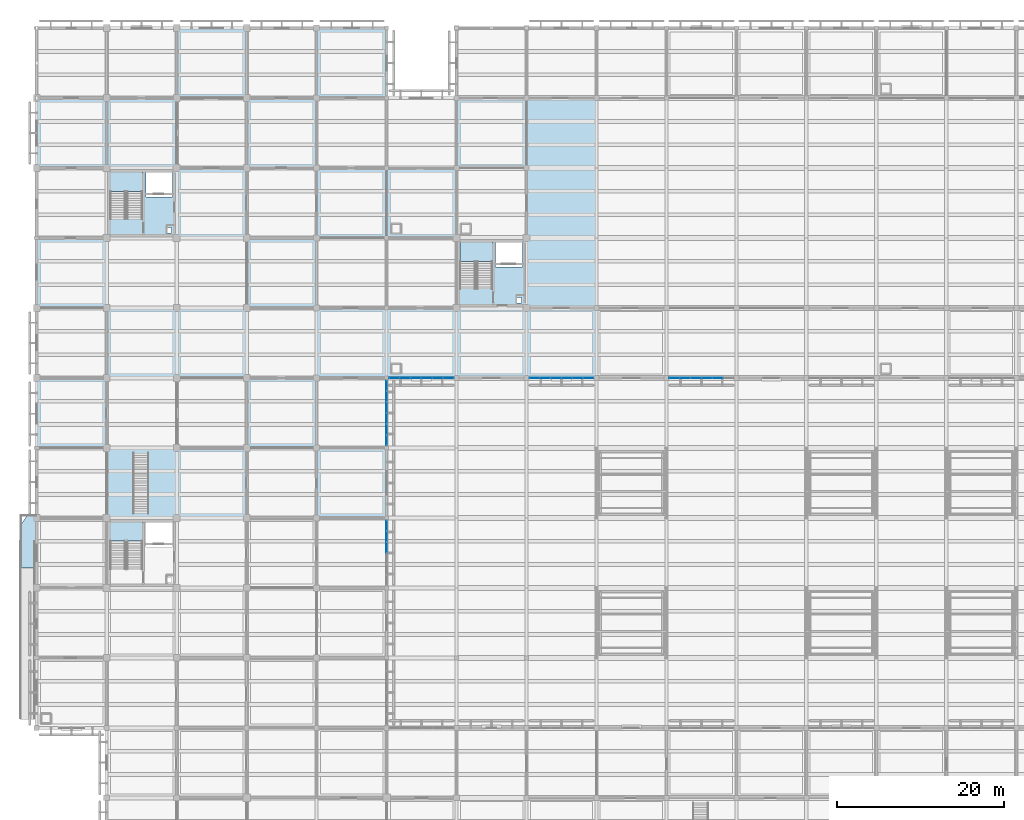
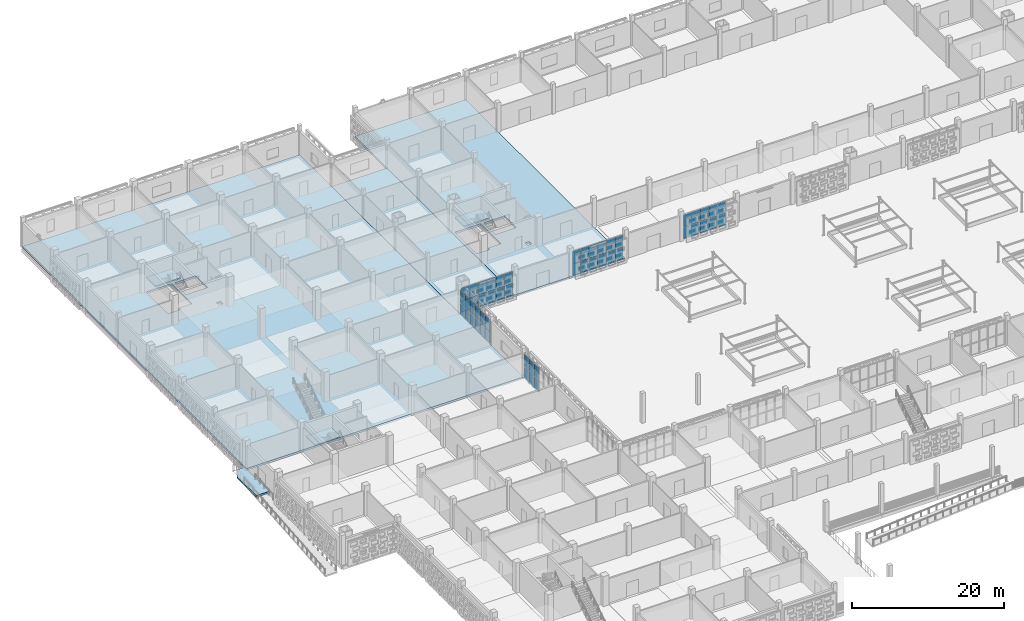
# One storey, part 49 of 129: 52 plates, 7 slabs, 8 elements without a shape of their own.
"""IFC4 building model written with IfcOpenShell, lengths in metres."""

from ifc_helpers import new_model, si_unit, direction, frame, origin, origin_2d, place, context, subcontext, project, spatial, polyline, rectangle, outline, extrude, material, layer, layer_set, type_object, element, aggregate, save


model = new_model("IFC4")

# Units and contexts
model_context = context("Model", 3, precision=1e-05, world=origin(), true_north=direction((0.0, 1.0)))
body_context = subcontext(model_context, "Body", "Model", "MODEL_VIEW")
ifc_project = project(units=[si_unit("LENGTHUNIT", "METRE"), si_unit("AREAUNIT", "SQUARE_METRE"), si_unit("VOLUMEUNIT", "CUBIC_METRE"), si_unit("PLANEANGLEUNIT", "RADIAN"), si_unit("MASSUNIT", "GRAM", prefix="KILO")], contexts=[model_context])

# Site, building, storey
site_placement = place(None, origin())
site = spatial("IfcSite", under=ifc_project, at=site_placement, CompositionType="ELEMENT")
building_placement = place(site_placement, origin())
building = spatial("IfcBuilding", under=site, at=building_placement, Name="Varnapada Polytechnic", CompositionType="ELEMENT")
storey_placement = place(building_placement, origin())
storey = spatial("IfcBuildingStorey", under=building, at=storey_placement, Name="L00", CompositionType="ELEMENT", Elevation=0.0)

# Curtain wall, plates
ifc_material_1 = material(Name="Double low-E laminated glass", Category="glass")
ifc_layer_1 = layer(ifc_material_1, 0.159912109375)
ifc_layer_set_1 = layer_set([ifc_layer_1], Name="Double low-E laminated glass")
curtain_wall_type = type_object("IfcCurtainWallType", Name="Curtain Wall CW-01", PredefinedType="NOTDEFINED", material=ifc_layer_set_1)
curtain_wall_1_placement = place(storey_placement, origin())
curtain_wall_1 = element("IfcCurtainWall", 1, at=curtain_wall_1_placement, inside=storey, type_object=curtain_wall_type, Name="L00 unitised curtain wall CW-01 (2)", PredefinedType="NOTDEFINED")
ifc_layer_2 = layer(ifc_material_1, 0.028076171875)
ifc_layer_set_2 = layer_set([ifc_layer_2], Name="Double low-E laminated glass")
plate_type = type_object("IfcPlateType", Name="Curtain Panel PNL-01", PredefinedType="CURTAIN_PANEL", material=ifc_layer_set_2)
plate_1_placement = place(storey_placement, frame((42.0, 66.276611328125, 0.06005859375), z_axis=(0.0, 0.0, 1.0), x_axis=(0.0, -1.0, 0.0)))
plate_1 = element("IfcPlate", 2, at=plate_1_placement, type_object=plate_type, Name="CW-01 panel 1.1", PredefinedType="CURTAIN_PANEL", context=body_context, shape_type="SweptSolid", body=[
    extrude(rectangle(XDim=1.2265625, YDim=0.028076171875, at=origin_2d()), origin(), (0.0, 0.0, 1.0), 1.810791015625),
])
plate_2_placement = place(storey_placement, frame((42.0, 66.276611328125, 1.9306640625), z_axis=(0.0, 0.0, 1.0), x_axis=(0.0, -1.0, 0.0)))
plate_2 = element("IfcPlate", 3, at=plate_2_placement, type_object=plate_type, Name="CW-01 panel 1.2", PredefinedType="CURTAIN_PANEL", context=body_context, shape_type="SweptSolid", body=[
    extrude(rectangle(XDim=1.2265625, YDim=0.028076171875, at=origin_2d()), origin(), (0.0, 0.0, 1.0), 1.96923828125),
])
plate_3_placement = place(storey_placement, frame((42.0, 64.97509765625, 0.06005859375), z_axis=(0.0, 0.0, 1.0), x_axis=(0.0, -1.0, 0.0)))
plate_3 = element("IfcPlate", 4, at=plate_3_placement, type_object=plate_type, Name="CW-01 panel 2.1", PredefinedType="CURTAIN_PANEL", context=body_context, shape_type="SweptSolid", body=[
    extrude(rectangle(XDim=1.256591796875, YDim=0.028076171875, at=origin_2d()), origin(), (0.0, 0.0, 1.0), 1.810791015625),
])
plate_4_placement = place(storey_placement, frame((42.0, 64.97509765625, 1.9306640625), z_axis=(0.0, 0.0, 1.0), x_axis=(0.0, -1.0, 0.0)))
plate_4 = element("IfcPlate", 5, at=plate_4_placement, type_object=plate_type, Name="CW-01 panel 2.2", PredefinedType="CURTAIN_PANEL", context=body_context, shape_type="SweptSolid", body=[
    extrude(rectangle(XDim=1.256591796875, YDim=0.028076171875, at=origin_2d()), origin(), (0.0, 0.0, 1.0), 1.96923828125),
])
plate_5_placement = place(storey_placement, frame((42.0, 63.658447265625, 0.06005859375), z_axis=(0.0, 0.0, 1.0), x_axis=(0.0, -1.0, 0.0)))
plate_5 = element("IfcPlate", 6, at=plate_5_placement, type_object=plate_type, Name="CW-01 panel 3.1", PredefinedType="CURTAIN_PANEL", context=body_context, shape_type="SweptSolid", body=[
    extrude(rectangle(XDim=1.256591796875, YDim=0.028076171875, at=origin_2d()), origin(), (0.0, 0.0, 1.0), 1.810791015625),
])
plate_6_placement = place(storey_placement, frame((42.0, 63.658447265625, 1.9306640625), z_axis=(0.0, 0.0, 1.0), x_axis=(0.0, -1.0, 0.0)))
plate_6 = element("IfcPlate", 7, at=plate_6_placement, type_object=plate_type, Name="CW-01 panel 3.2", PredefinedType="CURTAIN_PANEL", context=body_context, shape_type="SweptSolid", body=[
    extrude(rectangle(XDim=1.256591796875, YDim=0.028076171875, at=origin_2d()), origin(), (0.0, 0.0, 1.0), 1.96923828125),
])
aggregate(curtain_wall_1, [plate_1, plate_2, plate_3, plate_4, plate_5, plate_6])

curtain_wall_2_placement = place(storey_placement, origin())
curtain_wall_2 = element("IfcCurtainWall", 8, at=curtain_wall_2_placement, inside=storey, type_object=curtain_wall_type, Name="L00 unitised curtain wall CW-01 (3)", PredefinedType="NOTDEFINED")
plate_7_placement = place(storey_placement, frame((42.0, 83.07666015625, 0.06005859375), z_axis=(0.0, 0.0, 1.0), x_axis=(0.0, -1.0, 0.0)))
plate_7 = element("IfcPlate", 9, at=plate_7_placement, type_object=plate_type, Name="CW-01 panel 1.1", PredefinedType="CURTAIN_PANEL", context=body_context, shape_type="SweptSolid", body=[
    extrude(rectangle(XDim=1.2265625, YDim=0.028076171875, at=origin_2d()), origin(), (0.0, 0.0, 1.0), 1.810791015625),
])
plate_8_placement = place(storey_placement, frame((42.0, 83.07666015625, 1.9306640625), z_axis=(0.0, 0.0, 1.0), x_axis=(0.0, -1.0, 0.0)))
plate_8 = element("IfcPlate", 10, at=plate_8_placement, type_object=plate_type, Name="CW-01 panel 1.2", PredefinedType="CURTAIN_PANEL", context=body_context, shape_type="SweptSolid", body=[
    extrude(rectangle(XDim=1.2265625, YDim=0.028076171875, at=origin_2d()), origin(), (0.0, 0.0, 1.0), 1.96923828125),
])
plate_9_placement = place(storey_placement, frame((42.0, 81.77490234375, 0.06005859375), z_axis=(0.0, 0.0, 1.0), x_axis=(0.0, -1.0, 0.0)))
plate_9 = element("IfcPlate", 11, at=plate_9_placement, type_object=plate_type, Name="CW-01 panel 2.1", PredefinedType="CURTAIN_PANEL", context=body_context, shape_type="SweptSolid", body=[
    extrude(rectangle(XDim=1.256591796875, YDim=0.028076171875, at=origin_2d()), origin(), (0.0, 0.0, 1.0), 1.810791015625),
])
plate_10_placement = place(storey_placement, frame((42.0, 81.77490234375, 1.9306640625), z_axis=(0.0, 0.0, 1.0), x_axis=(0.0, -1.0, 0.0)))
plate_10 = element("IfcPlate", 12, at=plate_10_placement, type_object=plate_type, Name="CW-01 panel 2.2", PredefinedType="CURTAIN_PANEL", context=body_context, shape_type="SweptSolid", body=[
    extrude(rectangle(XDim=1.256591796875, YDim=0.028076171875, at=origin_2d()), origin(), (0.0, 0.0, 1.0), 1.96923828125),
])
plate_11_placement = place(storey_placement, frame((42.0, 80.458251953125, 0.06005859375), z_axis=(0.0, 0.0, 1.0), x_axis=(0.0, -1.0, 0.0)))
plate_11 = element("IfcPlate", 13, at=plate_11_placement, type_object=plate_type, Name="CW-01 panel 3.1", PredefinedType="CURTAIN_PANEL", context=body_context, shape_type="SweptSolid", body=[
    extrude(rectangle(XDim=1.256591796875, YDim=0.028076171875, at=origin_2d()), origin(), (0.0, 0.0, 1.0), 1.810791015625),
])
plate_12_placement = place(storey_placement, frame((42.0, 80.458251953125, 1.9306640625), z_axis=(0.0, 0.0, 1.0), x_axis=(0.0, -1.0, 0.0)))
plate_12 = element("IfcPlate", 14, at=plate_12_placement, type_object=plate_type, Name="CW-01 panel 3.2", PredefinedType="CURTAIN_PANEL", context=body_context, shape_type="SweptSolid", body=[
    extrude(rectangle(XDim=1.256591796875, YDim=0.028076171875, at=origin_2d()), origin(), (0.0, 0.0, 1.0), 1.96923828125),
])
plate_13_placement = place(storey_placement, frame((42.0, 79.1416015625, 0.06005859375), z_axis=(0.0, 0.0, 1.0), x_axis=(0.0, -1.0, 0.0)))
plate_13 = element("IfcPlate", 15, at=plate_13_placement, type_object=plate_type, Name="CW-01 panel 4.1", PredefinedType="CURTAIN_PANEL", context=body_context, shape_type="SweptSolid", body=[
    extrude(rectangle(XDim=1.256591796875, YDim=0.028076171875, at=origin_2d()), origin(), (0.0, 0.0, 1.0), 1.810791015625),
])
plate_14_placement = place(storey_placement, frame((42.0, 79.1416015625, 1.9306640625), z_axis=(0.0, 0.0, 1.0), x_axis=(0.0, -1.0, 0.0)))
plate_14 = element("IfcPlate", 16, at=plate_14_placement, type_object=plate_type, Name="CW-01 panel 4.2", PredefinedType="CURTAIN_PANEL", context=body_context, shape_type="SweptSolid", body=[
    extrude(rectangle(XDim=1.256591796875, YDim=0.028076171875, at=origin_2d()), origin(), (0.0, 0.0, 1.0), 1.96923828125),
])
plate_15_placement = place(storey_placement, frame((42.0, 77.824951171875, 0.06005859375), z_axis=(0.0, 0.0, 1.0), x_axis=(0.0, -1.0, 0.0)))
plate_15 = element("IfcPlate", 17, at=plate_15_placement, type_object=plate_type, Name="CW-01 panel 5.1", PredefinedType="CURTAIN_PANEL", context=body_context, shape_type="SweptSolid", body=[
    extrude(rectangle(XDim=1.256591796875, YDim=0.028076171875, at=origin_2d()), origin(), (0.0, 0.0, 1.0), 1.810791015625),
])
plate_16_placement = place(storey_placement, frame((42.0, 77.824951171875, 1.9306640625), z_axis=(0.0, 0.0, 1.0), x_axis=(0.0, -1.0, 0.0)))
plate_16 = element("IfcPlate", 18, at=plate_16_placement, type_object=plate_type, Name="CW-01 panel 5.2", PredefinedType="CURTAIN_PANEL", context=body_context, shape_type="SweptSolid", body=[
    extrude(rectangle(XDim=1.256591796875, YDim=0.028076171875, at=origin_2d()), origin(), (0.0, 0.0, 1.0), 1.96923828125),
])
plate_17_placement = place(storey_placement, frame((42.0, 76.5234375, 0.06005859375), z_axis=(0.0, 0.0, 1.0), x_axis=(0.0, -1.0, 0.0)))
plate_17 = element("IfcPlate", 19, at=plate_17_placement, type_object=plate_type, Name="CW-01 panel 6.1", PredefinedType="CURTAIN_PANEL", context=body_context, shape_type="SweptSolid", body=[
    extrude(rectangle(XDim=1.2265625, YDim=0.028076171875, at=origin_2d()), origin(), (0.0, 0.0, 1.0), 1.810791015625),
])
plate_18_placement = place(storey_placement, frame((42.0, 76.5234375, 1.9306640625), z_axis=(0.0, 0.0, 1.0), x_axis=(0.0, -1.0, 0.0)))
plate_18 = element("IfcPlate", 20, at=plate_18_placement, type_object=plate_type, Name="CW-01 panel 6.2", PredefinedType="CURTAIN_PANEL", context=body_context, shape_type="SweptSolid", body=[
    extrude(rectangle(XDim=1.2265625, YDim=0.028076171875, at=origin_2d()), origin(), (0.0, 0.0, 1.0), 1.96923828125),
])
aggregate(curtain_wall_2, [plate_7, plate_8, plate_9, plate_10, plate_11, plate_12, plate_13, plate_14, plate_15, plate_16, plate_17, plate_18])

curtain_wall_3_placement = place(storey_placement, origin())
curtain_wall_3 = element("IfcCurtainWall", 21, at=curtain_wall_3_placement, inside=storey, type_object=curtain_wall_type, Name="L00 unitised curtain wall CW-01 (5)", PredefinedType="NOTDEFINED")
plate_19_placement = place(storey_placement, frame((49.430908203125, 84.0, 0.06005859375), z_axis=(0.0, 0.0, 1.0), x_axis=(-1.0, 0.0, 0.0)))
plate_19 = element("IfcPlate", 22, at=plate_19_placement, type_object=plate_type, Name="CW-01 panel 1.1", PredefinedType="CURTAIN_PANEL", context=body_context, shape_type="SweptSolid", body=[
    extrude(rectangle(XDim=1.21826171875, YDim=0.028076171875, at=origin_2d()), origin(), (0.0, 0.0, 1.0), 1.810791015625),
])
plate_20_placement = place(storey_placement, frame((49.430908203125, 84.0, 1.9306640625), z_axis=(0.0, 0.0, 1.0), x_axis=(-1.0, 0.0, 0.0)))
plate_20 = element("IfcPlate", 23, at=plate_20_placement, type_object=plate_type, Name="CW-01 panel 1.2", PredefinedType="CURTAIN_PANEL", context=body_context, shape_type="SweptSolid", body=[
    extrude(rectangle(XDim=1.21826171875, YDim=0.028076171875, at=origin_2d()), origin(), (0.0, 0.0, 1.0), 1.96923828125),
])
plate_21_placement = place(storey_placement, frame((48.137451171875, 84.0, 0.06005859375), z_axis=(0.0, 0.0, 1.0), x_axis=(-1.0, 0.0, 0.0)))
plate_21 = element("IfcPlate", 24, at=plate_21_placement, type_object=plate_type, Name="CW-01 panel 2.1", PredefinedType="CURTAIN_PANEL", context=body_context, shape_type="SweptSolid", body=[
    extrude(rectangle(XDim=1.248291015625, YDim=0.028076171875, at=origin_2d()), origin(), (0.0, 0.0, 1.0), 1.810791015625),
])
plate_22_placement = place(storey_placement, frame((48.137451171875, 84.0, 1.9306640625), z_axis=(0.0, 0.0, 1.0), x_axis=(-1.0, 0.0, 0.0)))
plate_22 = element("IfcPlate", 25, at=plate_22_placement, type_object=plate_type, Name="CW-01 panel 2.2", PredefinedType="CURTAIN_PANEL", context=body_context, shape_type="SweptSolid", body=[
    extrude(rectangle(XDim=1.248291015625, YDim=0.028076171875, at=origin_2d()), origin(), (0.0, 0.0, 1.0), 1.96923828125),
])
plate_23_placement = place(storey_placement, frame((46.8291015625, 84.0, 0.06005859375), z_axis=(0.0, 0.0, 1.0), x_axis=(-1.0, 0.0, 0.0)))
plate_23 = element("IfcPlate", 26, at=plate_23_placement, type_object=plate_type, Name="CW-01 panel 3.1", PredefinedType="CURTAIN_PANEL", context=body_context, shape_type="SweptSolid", body=[
    extrude(rectangle(XDim=1.248291015625, YDim=0.028076171875, at=origin_2d()), origin(), (0.0, 0.0, 1.0), 1.810791015625),
])
plate_24_placement = place(storey_placement, frame((46.8291015625, 84.0, 1.9306640625), z_axis=(0.0, 0.0, 1.0), x_axis=(-1.0, 0.0, 0.0)))
plate_24 = element("IfcPlate", 27, at=plate_24_placement, type_object=plate_type, Name="CW-01 panel 3.2", PredefinedType="CURTAIN_PANEL", context=body_context, shape_type="SweptSolid", body=[
    extrude(rectangle(XDim=1.248291015625, YDim=0.028076171875, at=origin_2d()), origin(), (0.0, 0.0, 1.0), 1.96923828125),
])
plate_25_placement = place(storey_placement, frame((45.520751953125, 84.0, 0.06005859375), z_axis=(0.0, 0.0, 1.0), x_axis=(-1.0, 0.0, 0.0)))
plate_25 = element("IfcPlate", 28, at=plate_25_placement, type_object=plate_type, Name="CW-01 panel 4.1", PredefinedType="CURTAIN_PANEL", context=body_context, shape_type="SweptSolid", body=[
    extrude(rectangle(XDim=1.248291015625, YDim=0.028076171875, at=origin_2d()), origin(), (0.0, 0.0, 1.0), 1.810791015625),
])
plate_26_placement = place(storey_placement, frame((45.520751953125, 84.0, 1.9306640625), z_axis=(0.0, 0.0, 1.0), x_axis=(-1.0, 0.0, 0.0)))
plate_26 = element("IfcPlate", 29, at=plate_26_placement, type_object=plate_type, Name="CW-01 panel 4.2", PredefinedType="CURTAIN_PANEL", context=body_context, shape_type="SweptSolid", body=[
    extrude(rectangle(XDim=1.248291015625, YDim=0.028076171875, at=origin_2d()), origin(), (0.0, 0.0, 1.0), 1.96923828125),
])
plate_27_placement = place(storey_placement, frame((44.21240234375, 84.0, 0.06005859375), z_axis=(0.0, 0.0, 1.0), x_axis=(-1.0, 0.0, 0.0)))
plate_27 = element("IfcPlate", 30, at=plate_27_placement, type_object=plate_type, Name="CW-01 panel 5.1", PredefinedType="CURTAIN_PANEL", context=body_context, shape_type="SweptSolid", body=[
    extrude(rectangle(XDim=1.248291015625, YDim=0.028076171875, at=origin_2d()), origin(), (0.0, 0.0, 1.0), 1.810791015625),
])
plate_28_placement = place(storey_placement, frame((44.21240234375, 84.0, 1.9306640625), z_axis=(0.0, 0.0, 1.0), x_axis=(-1.0, 0.0, 0.0)))
plate_28 = element("IfcPlate", 31, at=plate_28_placement, type_object=plate_type, Name="CW-01 panel 5.2", PredefinedType="CURTAIN_PANEL", context=body_context, shape_type="SweptSolid", body=[
    extrude(rectangle(XDim=1.248291015625, YDim=0.028076171875, at=origin_2d()), origin(), (0.0, 0.0, 1.0), 1.96923828125),
])
plate_29_placement = place(storey_placement, frame((42.919189453125, 84.0, 0.06005859375), z_axis=(0.0, 0.0, 1.0), x_axis=(-1.0, 0.0, 0.0)))
plate_29 = element("IfcPlate", 32, at=plate_29_placement, type_object=plate_type, Name="CW-01 panel 6.1", PredefinedType="CURTAIN_PANEL", context=body_context, shape_type="SweptSolid", body=[
    extrude(rectangle(XDim=1.21826171875, YDim=0.028076171875, at=origin_2d()), origin(), (0.0, 0.0, 1.0), 1.810791015625),
])
plate_30_placement = place(storey_placement, frame((42.919189453125, 84.0, 1.9306640625), z_axis=(0.0, 0.0, 1.0), x_axis=(-1.0, 0.0, 0.0)))
plate_30 = element("IfcPlate", 33, at=plate_30_placement, type_object=plate_type, Name="CW-01 panel 6.2", PredefinedType="CURTAIN_PANEL", context=body_context, shape_type="SweptSolid", body=[
    extrude(rectangle(XDim=1.21826171875, YDim=0.028076171875, at=origin_2d()), origin(), (0.0, 0.0, 1.0), 1.96923828125),
])
aggregate(curtain_wall_3, [plate_19, plate_20, plate_21, plate_22, plate_23, plate_24, plate_25, plate_26, plate_27, plate_28, plate_29, plate_30])

curtain_wall_4_placement = place(storey_placement, origin())
curtain_wall_4 = element("IfcCurtainWall", 34, at=curtain_wall_4_placement, inside=storey, type_object=curtain_wall_type, Name="L00 unitised curtain wall CW-01 (7)", PredefinedType="NOTDEFINED")
plate_31_placement = place(storey_placement, frame((66.235107421875, 84.0, 0.06005859375), z_axis=(0.0, 0.0, 1.0), x_axis=(-1.0, 0.0, 0.0)))
plate_31 = element("IfcPlate", 35, at=plate_31_placement, type_object=plate_type, Name="CW-01 panel 1.1", PredefinedType="CURTAIN_PANEL", context=body_context, shape_type="SweptSolid", body=[
    extrude(rectangle(XDim=1.2099609375, YDim=0.028076171875, at=origin_2d()), origin(), (0.0, 0.0, 1.0), 1.810791015625),
])
plate_32_placement = place(storey_placement, frame((66.235107421875, 84.0, 1.9306640625), z_axis=(0.0, 0.0, 1.0), x_axis=(-1.0, 0.0, 0.0)))
plate_32 = element("IfcPlate", 36, at=plate_32_placement, type_object=plate_type, Name="CW-01 panel 1.2", PredefinedType="CURTAIN_PANEL", context=body_context, shape_type="SweptSolid", body=[
    extrude(rectangle(XDim=1.2099609375, YDim=0.028076171875, at=origin_2d()), origin(), (0.0, 0.0, 1.0), 1.96923828125),
])
plate_33_placement = place(storey_placement, frame((64.949951171875, 84.0, 0.06005859375), z_axis=(0.0, 0.0, 1.0), x_axis=(-1.0, 0.0, 0.0)))
plate_33 = element("IfcPlate", 37, at=plate_33_placement, type_object=plate_type, Name="CW-01 panel 2.1", PredefinedType="CURTAIN_PANEL", context=body_context, shape_type="SweptSolid", body=[
    extrude(rectangle(XDim=1.239990234375, YDim=0.028076171875, at=origin_2d()), origin(), (0.0, 0.0, 1.0), 1.810791015625),
])
plate_34_placement = place(storey_placement, frame((64.949951171875, 84.0, 1.9306640625), z_axis=(0.0, 0.0, 1.0), x_axis=(-1.0, 0.0, 0.0)))
plate_34 = element("IfcPlate", 38, at=plate_34_placement, type_object=plate_type, Name="CW-01 panel 2.2", PredefinedType="CURTAIN_PANEL", context=body_context, shape_type="SweptSolid", body=[
    extrude(rectangle(XDim=1.239990234375, YDim=0.028076171875, at=origin_2d()), origin(), (0.0, 0.0, 1.0), 1.96923828125),
])
plate_35_placement = place(storey_placement, frame((63.64990234375, 84.0, 0.06005859375), z_axis=(0.0, 0.0, 1.0), x_axis=(-1.0, 0.0, 0.0)))
plate_35 = element("IfcPlate", 39, at=plate_35_placement, type_object=plate_type, Name="CW-01 panel 3.1", PredefinedType="CURTAIN_PANEL", context=body_context, shape_type="SweptSolid", body=[
    extrude(rectangle(XDim=1.239990234375, YDim=0.028076171875, at=origin_2d()), origin(), (0.0, 0.0, 1.0), 1.810791015625),
])
plate_36_placement = place(storey_placement, frame((63.64990234375, 84.0, 1.9306640625), z_axis=(0.0, 0.0, 1.0), x_axis=(-1.0, 0.0, 0.0)))
plate_36 = element("IfcPlate", 40, at=plate_36_placement, type_object=plate_type, Name="CW-01 panel 3.2", PredefinedType="CURTAIN_PANEL", context=body_context, shape_type="SweptSolid", body=[
    extrude(rectangle(XDim=1.239990234375, YDim=0.028076171875, at=origin_2d()), origin(), (0.0, 0.0, 1.0), 1.96923828125),
])
plate_37_placement = place(storey_placement, frame((62.35009765625, 84.0, 0.06005859375), z_axis=(0.0, 0.0, 1.0), x_axis=(-1.0, 0.0, 0.0)))
plate_37 = element("IfcPlate", 41, at=plate_37_placement, type_object=plate_type, Name="CW-01 panel 4.1", PredefinedType="CURTAIN_PANEL", context=body_context, shape_type="SweptSolid", body=[
    extrude(rectangle(XDim=1.239990234375, YDim=0.028076171875, at=origin_2d()), origin(), (0.0, 0.0, 1.0), 1.810791015625),
])
plate_38_placement = place(storey_placement, frame((62.35009765625, 84.0, 1.9306640625), z_axis=(0.0, 0.0, 1.0), x_axis=(-1.0, 0.0, 0.0)))
plate_38 = element("IfcPlate", 42, at=plate_38_placement, type_object=plate_type, Name="CW-01 panel 4.2", PredefinedType="CURTAIN_PANEL", context=body_context, shape_type="SweptSolid", body=[
    extrude(rectangle(XDim=1.239990234375, YDim=0.028076171875, at=origin_2d()), origin(), (0.0, 0.0, 1.0), 1.96923828125),
])
plate_39_placement = place(storey_placement, frame((61.050048828125, 84.0, 0.06005859375), z_axis=(0.0, 0.0, 1.0), x_axis=(-1.0, 0.0, 0.0)))
plate_39 = element("IfcPlate", 43, at=plate_39_placement, type_object=plate_type, Name="CW-01 panel 5.1", PredefinedType="CURTAIN_PANEL", context=body_context, shape_type="SweptSolid", body=[
    extrude(rectangle(XDim=1.239990234375, YDim=0.028076171875, at=origin_2d()), origin(), (0.0, 0.0, 1.0), 1.810791015625),
])
plate_40_placement = place(storey_placement, frame((61.050048828125, 84.0, 1.9306640625), z_axis=(0.0, 0.0, 1.0), x_axis=(-1.0, 0.0, 0.0)))
plate_40 = element("IfcPlate", 44, at=plate_40_placement, type_object=plate_type, Name="CW-01 panel 5.2", PredefinedType="CURTAIN_PANEL", context=body_context, shape_type="SweptSolid", body=[
    extrude(rectangle(XDim=1.239990234375, YDim=0.028076171875, at=origin_2d()), origin(), (0.0, 0.0, 1.0), 1.96923828125),
])
plate_41_placement = place(storey_placement, frame((59.764892578125, 84.0, 0.06005859375), z_axis=(0.0, 0.0, 1.0), x_axis=(-1.0, 0.0, 0.0)))
plate_41 = element("IfcPlate", 45, at=plate_41_placement, type_object=plate_type, Name="CW-01 panel 6.1", PredefinedType="CURTAIN_PANEL", context=body_context, shape_type="SweptSolid", body=[
    extrude(rectangle(XDim=1.2099609375, YDim=0.028076171875, at=origin_2d()), origin(), (0.0, 0.0, 1.0), 1.810791015625),
])
plate_42_placement = place(storey_placement, frame((59.764892578125, 84.0, 1.9306640625), z_axis=(0.0, 0.0, 1.0), x_axis=(-1.0, 0.0, 0.0)))
plate_42 = element("IfcPlate", 46, at=plate_42_placement, type_object=plate_type, Name="CW-01 panel 6.2", PredefinedType="CURTAIN_PANEL", context=body_context, shape_type="SweptSolid", body=[
    extrude(rectangle(XDim=1.2099609375, YDim=0.028076171875, at=origin_2d()), origin(), (0.0, 0.0, 1.0), 1.96923828125),
])
aggregate(curtain_wall_4, [plate_31, plate_32, plate_33, plate_34, plate_35, plate_36, plate_37, plate_38, plate_39, plate_40, plate_41, plate_42])

curtain_wall_5_placement = place(storey_placement, origin())
curtain_wall_5 = element("IfcCurtainWall", 47, at=curtain_wall_5_placement, inside=storey, type_object=curtain_wall_type, Name="L00 unitised curtain wall CW-01 (9)", PredefinedType="NOTDEFINED")
plate_43_placement = place(storey_placement, frame((81.75, 84.0, 0.06005859375), z_axis=(0.0, 0.0, 1.0), x_axis=(-1.0, 0.0, 0.0)))
plate_43 = element("IfcPlate", 48, at=plate_43_placement, type_object=plate_type, Name="CW-01 panel 2.1", PredefinedType="CURTAIN_PANEL", context=body_context, shape_type="SweptSolid", body=[
    extrude(rectangle(XDim=1.239990234375, YDim=0.028076171875, at=origin_2d()), origin(), (0.0, 0.0, 1.0), 1.810791015625),
])
plate_44_placement = place(storey_placement, frame((81.75, 84.0, 1.9306640625), z_axis=(0.0, 0.0, 1.0), x_axis=(-1.0, 0.0, 0.0)))
plate_44 = element("IfcPlate", 49, at=plate_44_placement, type_object=plate_type, Name="CW-01 panel 2.2", PredefinedType="CURTAIN_PANEL", context=body_context, shape_type="SweptSolid", body=[
    extrude(rectangle(XDim=1.239990234375, YDim=0.028076171875, at=origin_2d()), origin(), (0.0, 0.0, 1.0), 1.96923828125),
])
plate_45_placement = place(storey_placement, frame((80.449951171875, 84.0, 0.06005859375), z_axis=(0.0, 0.0, 1.0), x_axis=(-1.0, 0.0, 0.0)))
plate_45 = element("IfcPlate", 50, at=plate_45_placement, type_object=plate_type, Name="CW-01 panel 3.1", PredefinedType="CURTAIN_PANEL", context=body_context, shape_type="SweptSolid", body=[
    extrude(rectangle(XDim=1.239990234375, YDim=0.028076171875, at=origin_2d()), origin(), (0.0, 0.0, 1.0), 1.810791015625),
])
plate_46_placement = place(storey_placement, frame((80.449951171875, 84.0, 1.9306640625), z_axis=(0.0, 0.0, 1.0), x_axis=(-1.0, 0.0, 0.0)))
plate_46 = element("IfcPlate", 51, at=plate_46_placement, type_object=plate_type, Name="CW-01 panel 3.2", PredefinedType="CURTAIN_PANEL", context=body_context, shape_type="SweptSolid", body=[
    extrude(rectangle(XDim=1.239990234375, YDim=0.028076171875, at=origin_2d()), origin(), (0.0, 0.0, 1.0), 1.96923828125),
])
plate_47_placement = place(storey_placement, frame((79.14990234375, 84.0, 0.06005859375), z_axis=(0.0, 0.0, 1.0), x_axis=(-1.0, 0.0, 0.0)))
plate_47 = element("IfcPlate", 52, at=plate_47_placement, type_object=plate_type, Name="CW-01 panel 4.1", PredefinedType="CURTAIN_PANEL", context=body_context, shape_type="SweptSolid", body=[
    extrude(rectangle(XDim=1.239990234375, YDim=0.028076171875, at=origin_2d()), origin(), (0.0, 0.0, 1.0), 1.810791015625),
])
plate_48_placement = place(storey_placement, frame((79.14990234375, 84.0, 1.9306640625), z_axis=(0.0, 0.0, 1.0), x_axis=(-1.0, 0.0, 0.0)))
plate_48 = element("IfcPlate", 53, at=plate_48_placement, type_object=plate_type, Name="CW-01 panel 4.2", PredefinedType="CURTAIN_PANEL", context=body_context, shape_type="SweptSolid", body=[
    extrude(rectangle(XDim=1.239990234375, YDim=0.028076171875, at=origin_2d()), origin(), (0.0, 0.0, 1.0), 1.96923828125),
])
plate_49_placement = place(storey_placement, frame((77.85009765625, 84.0, 0.06005859375), z_axis=(0.0, 0.0, 1.0), x_axis=(-1.0, 0.0, 0.0)))
plate_49 = element("IfcPlate", 54, at=plate_49_placement, type_object=plate_type, Name="CW-01 panel 5.1", PredefinedType="CURTAIN_PANEL", context=body_context, shape_type="SweptSolid", body=[
    extrude(rectangle(XDim=1.239990234375, YDim=0.028076171875, at=origin_2d()), origin(), (0.0, 0.0, 1.0), 1.810791015625),
])
plate_50_placement = place(storey_placement, frame((77.85009765625, 84.0, 1.9306640625), z_axis=(0.0, 0.0, 1.0), x_axis=(-1.0, 0.0, 0.0)))
plate_50 = element("IfcPlate", 55, at=plate_50_placement, type_object=plate_type, Name="CW-01 panel 5.2", PredefinedType="CURTAIN_PANEL", context=body_context, shape_type="SweptSolid", body=[
    extrude(rectangle(XDim=1.239990234375, YDim=0.028076171875, at=origin_2d()), origin(), (0.0, 0.0, 1.0), 1.96923828125),
])
plate_51_placement = place(storey_placement, frame((76.56494140625, 84.0, 0.06005859375), z_axis=(0.0, 0.0, 1.0), x_axis=(-1.0, 0.0, 0.0)))
plate_51 = element("IfcPlate", 56, at=plate_51_placement, type_object=plate_type, Name="CW-01 panel 6.1", PredefinedType="CURTAIN_PANEL", context=body_context, shape_type="SweptSolid", body=[
    extrude(rectangle(XDim=1.2099609375, YDim=0.028076171875, at=origin_2d()), origin(), (0.0, 0.0, 1.0), 1.810791015625),
])
plate_52_placement = place(storey_placement, frame((76.56494140625, 84.0, 1.9306640625), z_axis=(0.0, 0.0, 1.0), x_axis=(-1.0, 0.0, 0.0)))
plate_52 = element("IfcPlate", 57, at=plate_52_placement, type_object=plate_type, Name="CW-01 panel 6.2", PredefinedType="CURTAIN_PANEL", context=body_context, shape_type="SweptSolid", body=[
    extrude(rectangle(XDim=1.2099609375, YDim=0.028076171875, at=origin_2d()), origin(), (0.0, 0.0, 1.0), 1.96923828125),
])
aggregate(curtain_wall_5, [plate_43, plate_44, plate_45, plate_46, plate_47, plate_48, plate_49, plate_50, plate_51, plate_52])

# Slabs
ifc_material_2 = material(Name="Concrete C40/50", Category="concrete")
ifc_layer_3 = layer(ifc_material_2, 0.280029296875)
ifc_layer_set_3 = layer_set([ifc_layer_3], Name="Concrete C40/50")
slab_type_1 = type_object("IfcSlabType", Name="L00 exterior colonnade and portico deck SL-03", PredefinedType="FLOOR", material=ifc_layer_set_3)
slab_1_placement = place(storey_placement, frame((0.0, 0.0, -0.280029296875)))
element("IfcSlab", 58, at=slab_1_placement, inside=storey, type_object=slab_type_1, Name="L00 ramp W1 arrival landing slab", PredefinedType="FLOOR", context=body_context, shape_type="SweptSolid", body=[
    extrude(outline(polyline([(-2.0, 61.199951171875), (0.0, 61.199951171875), (0.0, 67.60009765625), (-1.10009765625, 67.60009765625), (-2.0, 66.199951171875), (-2.0, 61.199951171875)])), origin(), (0.0, 0.0, 1.0), 0.280029296875),
])
ifc_layer_4 = layer(ifc_material_2, 0.320068359375)
ifc_layer_set_4 = layer_set([ifc_layer_4], Name="Concrete C40/50")
slab_type_2 = type_object("IfcSlabType", Name="L00 heavy engineering workshop slab SL-02", PredefinedType="FLOOR", material=ifc_layer_set_4)
slab_2_placement = place(storey_placement, frame((0.0, 0.0, -0.320068359375)))
element("IfcSlab", 59, at=slab_2_placement, inside=storey, type_object=slab_type_2, Name="L00 V1 slab 1.1", PredefinedType="FLOOR", context=body_context, shape_type="SweptSolid", body=[
    extrude(outline(polyline([(50.39990234375, 100.800048828125), (50.39990234375, 109.199951171875), (50.39990234375, 117.60009765625), (50.39990234375, 126.0), (58.800048828125, 126.0), (67.199951171875, 126.0), (67.199951171875, 117.60009765625), (67.199951171875, 109.199951171875), (67.199951171875, 100.800048828125), (67.199951171875, 92.39990234375), (67.199951171875, 84.0), (58.800048828125, 84.0), (50.39990234375, 84.0), (50.39990234375, 92.39990234375), (50.39990234375, 100.800048828125)]), holes=[polyline([(50.800048828125, 94.7099609375), (52.75, 94.7099609375), (52.75, 95.110107421875), (54.699951171875, 95.110107421875), (54.699951171875, 100.39990234375), (50.800048828125, 100.39990234375), (50.800048828125, 94.7099609375)]), polyline([(55.10009765625, 97.300048828125), (58.300048828125, 97.300048828125), (58.300048828125, 100.35009765625), (55.10009765625, 100.35009765625), (55.10009765625, 97.300048828125)]), polyline([(57.550048828125, 93.02001953125), (58.199951171875, 93.02001953125), (58.199951171875, 93.669921875), (57.550048828125, 93.669921875), (57.550048828125, 93.02001953125)])]), origin(), (0.0, 0.0, 1.0), 0.320068359375),
])
ifc_layer_5 = layer(ifc_material_2, 0.300048828125)
ifc_layer_set_5 = layer_set([ifc_layer_5], Name="Concrete C40/50")
slab_type_3 = type_object("IfcSlabType", Name="L00 interior flood-resilient podium slab SL-01", PredefinedType="FLOOR", material=ifc_layer_set_5)
slab_3_placement = place(storey_placement, frame((0.0, 0.0, -0.300048828125)))
element("IfcSlab", 60, at=slab_3_placement, inside=storey, type_object=slab_type_3, Name="L00 V4 slab 2.1", PredefinedType="FLOOR", context=body_context, shape_type="SweptSolid", body=[
    extrude(outline(polyline([(0.0, 100.800048828125), (0.0, 109.199951171875), (0.0, 117.60009765625), (0.0, 126.0), (8.39990234375, 126.0), (16.800048828125, 126.0), (25.199951171875, 126.0), (33.60009765625, 126.0), (42.0, 126.0), (42.0, 117.60009765625), (42.0, 109.199951171875), (42.0, 100.800048828125), (42.0, 92.39990234375), (42.0, 84.0), (42.0, 75.60009765625), (42.0, 67.199951171875), (33.60009765625, 67.199951171875), (25.199951171875, 67.199951171875), (16.800048828125, 67.199951171875), (8.39990234375, 67.199951171875), (0.0, 67.199951171875), (0.0, 75.60009765625), (0.0, 84.0), (0.0, 92.39990234375), (0.0, 100.800048828125)]), holes=[polyline([(8.800048828125, 103.110107421875), (10.75, 103.110107421875), (10.75, 103.510009765625), (12.699951171875, 103.510009765625), (12.699951171875, 108.800048828125), (8.800048828125, 108.800048828125), (8.800048828125, 103.110107421875)]), polyline([(13.10009765625, 105.699951171875), (16.300048828125, 105.699951171875), (16.300048828125, 108.75), (13.10009765625, 108.75), (13.10009765625, 105.699951171875)]), polyline([(15.550048828125, 101.419921875), (16.199951171875, 101.419921875), (16.199951171875, 102.070068359375), (15.550048828125, 102.070068359375), (15.550048828125, 101.419921875)])]), origin(), (0.0, 0.0, 1.0), 0.300048828125),
])
slab_4_placement = place(storey_placement, frame((0.0, 0.0, -0.300048828125)))
element("IfcSlab", 61, at=slab_4_placement, inside=storey, type_object=slab_type_3, Name="L00 V5 slab 2.1", PredefinedType="FLOOR", context=body_context, shape_type="SweptSolid", body=[
    extrude(outline(polyline([(42.0, 84.0), (42.0, 92.39990234375), (42.0, 100.800048828125), (42.0, 109.199951171875), (42.0, 117.60009765625), (50.39990234375, 117.60009765625), (50.39990234375, 109.199951171875), (50.39990234375, 100.800048828125), (50.39990234375, 92.39990234375), (50.39990234375, 84.0), (42.0, 84.0)])), origin(), (0.0, 0.0, 1.0), 0.300048828125),
])

# Stair, slab
stair_type_1 = type_object("IfcStairType", Name="Core Exit Stair ST-A", PredefinedType="HALF_TURN_STAIR", material=ifc_material_2)
stair_1_placement = place(storey_placement, origin())
stair_1 = element("IfcStair", 62, at=stair_1_placement, inside=storey, type_object=stair_type_1, Name="L00 Core C1 Exit Stair", PredefinedType="HALF_TURN_STAIR")
ifc_layer_6 = layer(ifc_material_2, 0.199951171875)
ifc_layer_set_6 = layer_set([ifc_layer_6], Name="Concrete C40/50")
slab_type_4 = type_object("IfcSlabType", Name="Stair Half Landing SLD-01", PredefinedType="LANDING", material=ifc_layer_set_6)
slab_5_placement = place(storey_placement, frame((0.0, 0.0, 2.199951171875)))
slab_5 = element("IfcSlab", 63, at=slab_5_placement, type_object=slab_type_4, Name="ST-1 landing 1", PredefinedType="LANDING", context=body_context, shape_type="SweptSolid", body=[
    extrude(outline(polyline([(12.699951171875, 106.409912109375), (12.699951171875, 108.800048828125), (8.800048828125, 108.800048828125), (8.800048828125, 106.409912109375), (12.699951171875, 106.409912109375)])), origin(), (0.0, 0.0, 1.0), 0.199951171875),
])
aggregate(stair_1, [slab_5])

stair_2_placement = place(storey_placement, origin())
stair_2 = element("IfcStair", 64, at=stair_2_placement, inside=storey, type_object=stair_type_1, Name="L00 Core C2 Exit Stair", PredefinedType="HALF_TURN_STAIR")
slab_6_placement = place(storey_placement, frame((0.0, 0.0, 2.199951171875)))
slab_6 = element("IfcSlab", 65, at=slab_6_placement, type_object=slab_type_4, Name="ST-2 landing 1", PredefinedType="LANDING", context=body_context, shape_type="SweptSolid", body=[
    extrude(outline(polyline([(12.699951171875, 64.409912109375), (12.699951171875, 66.800048828125), (8.800048828125, 66.800048828125), (8.800048828125, 64.409912109375), (12.699951171875, 64.409912109375)])), origin(), (0.0, 0.0, 1.0), 0.199951171875),
])
aggregate(stair_2, [slab_6])

stair_type_2 = type_object("IfcStairType", Name="Core Exit Stair ST-B", PredefinedType="HALF_TURN_STAIR", material=ifc_material_2)
stair_3_placement = place(storey_placement, origin())
stair_3 = element("IfcStair", 66, at=stair_3_placement, inside=storey, type_object=stair_type_2, Name="L00 Core C4 Exit Stair", PredefinedType="HALF_TURN_STAIR")
ifc_layer_7 = layer(ifc_material_2, 0.219970703125)
ifc_layer_set_7 = layer_set([ifc_layer_7], Name="Concrete C40/50")
slab_type_5 = type_object("IfcSlabType", Name="Stair Half Landing SLD-02", PredefinedType="LANDING", material=ifc_layer_set_7)
slab_7_placement = place(storey_placement, frame((0.0, 0.0, 2.179931640625)))
slab_7 = element("IfcSlab", 67, at=slab_7_placement, type_object=slab_type_5, Name="ST-4 landing 1", PredefinedType="LANDING", context=body_context, shape_type="SweptSolid", body=[
    extrude(outline(polyline([(54.699951171875, 98.010009765625), (54.699951171875, 100.39990234375), (50.800048828125, 100.39990234375), (50.800048828125, 98.010009765625), (54.699951171875, 98.010009765625)])), origin(), (0.0, 0.0, 1.0), 0.219970703125),
])
aggregate(stair_3, [slab_7])

save(model, "model.ifc")
